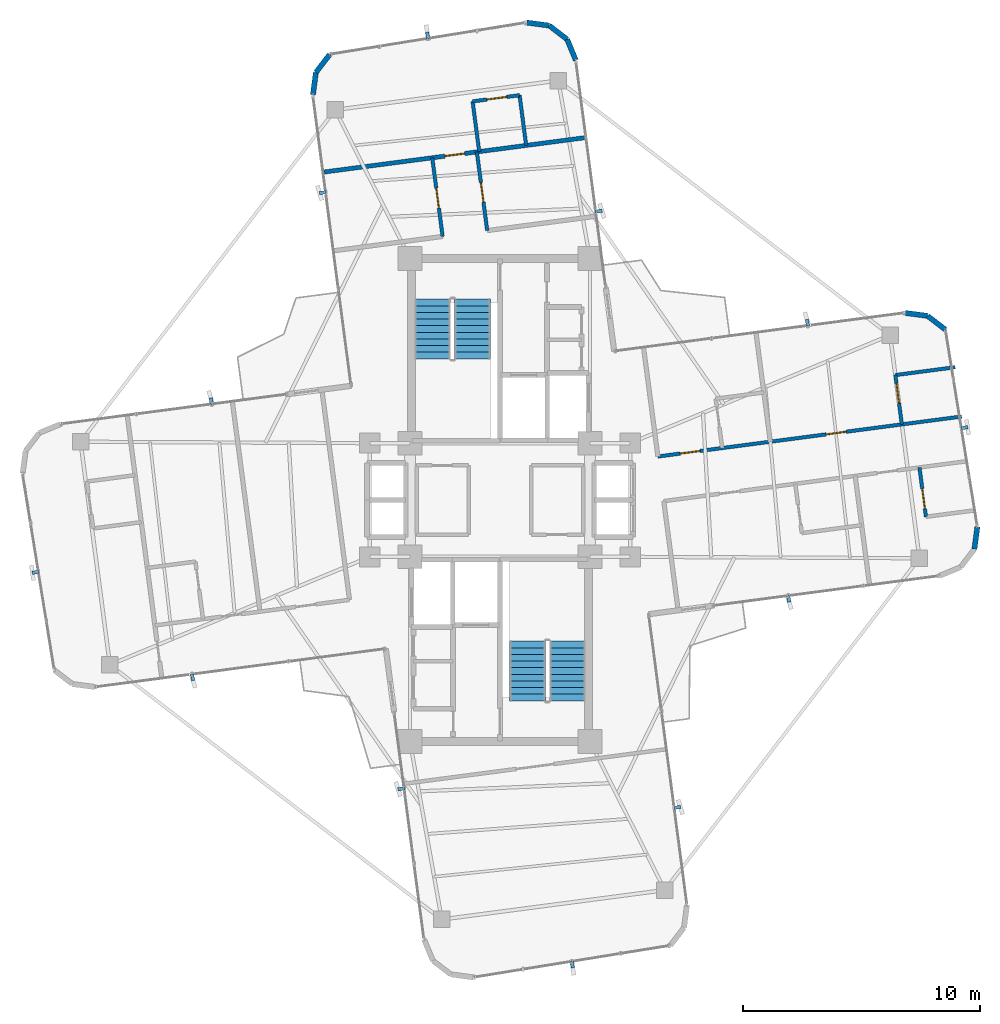
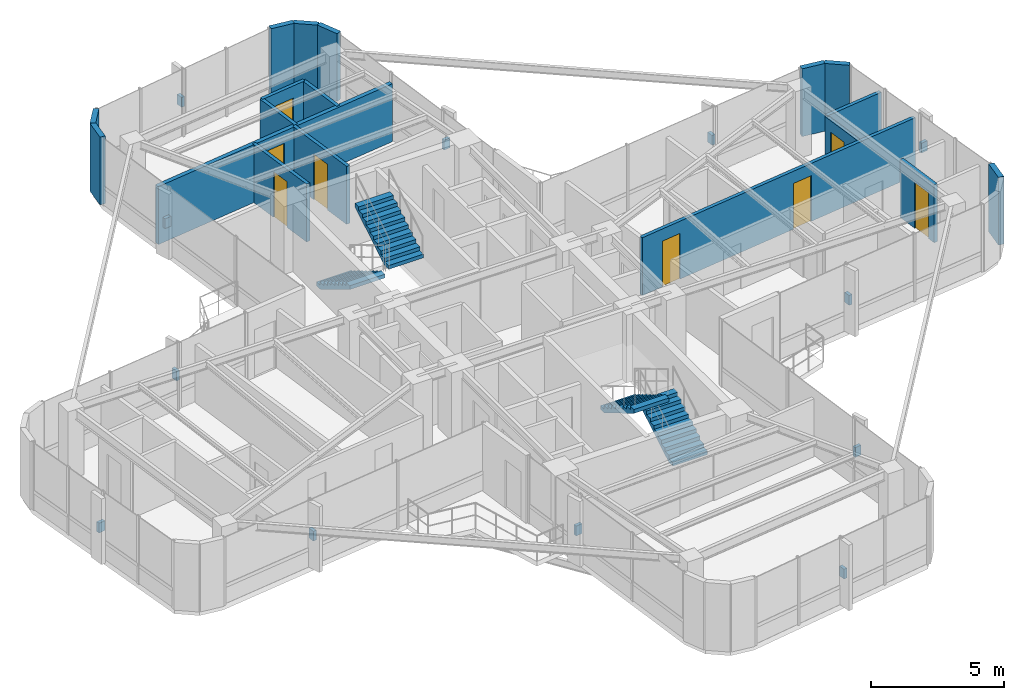
# One storey, part 21 of 22: 18 walls, 12 discrete accessories, 8 doors, 4 stair flights, 8 openings, 2 elements without a shape of their own.
"""IFC4 building model written with IfcOpenShell, lengths in metres."""

from ifc_helpers import new_model, si_unit, direction, frame, frame_2d, origin, origin_2d, place, context, subcontext, project, spatial, polyline, rectangle, outline, extrude, source, transform, mapped, material, layer, layer_set, type_object, element, fill, aggregate, save


model = new_model("IFC4")

# Units and contexts
model_context = context("Model", 3, precision=1e-05, world=origin(), true_north=direction((0.0, 1.0)))
body_context = subcontext(model_context, "Body", "Model", "MODEL_VIEW")
ifc_project = project(units=[si_unit("LENGTHUNIT", "METRE"), si_unit("AREAUNIT", "SQUARE_METRE"), si_unit("VOLUMEUNIT", "CUBIC_METRE"), si_unit("PLANEANGLEUNIT", "RADIAN"), si_unit("MASSUNIT", "GRAM", prefix="KILO")], contexts=[model_context])

# Site, building, storey
site_placement = place(None, origin())
site = spatial("IfcSite", under=ifc_project, at=site_placement, CompositionType="ELEMENT")
building_placement = place(site_placement, origin())
building = spatial("IfcBuilding", under=site, at=building_placement, Name="Sahyath Konkavel Grand Hotel", CompositionType="ELEMENT")
storey_placement = place(building_placement, frame((0.0, 0.0, 272.449951171875)))
storey = spatial("IfcBuildingStorey", under=building, at=storey_placement, Name="L76", CompositionType="ELEMENT", Elevation=272.449951171875)

# Walls
ifc_material_1 = material(Name="Warm Buff Sandstone Insulated Concrete C40/50", Category="masonry")
ifc_layer_1 = layer(ifc_material_1, 0.219970703125)
ifc_layer_set_1 = layer_set([ifc_layer_1], Name="Warm Buff Sandstone Insulated Concrete C40/50")
wall_type_1 = type_object("IfcWallType", Name="WLL-BALC-THRESH", PredefinedType="STANDARD", material=ifc_layer_set_1)
for number, where, z_axis, x_axis, name in (
    (1, (20.03466796875, -2.07763671875, 0.0), (0.0, 0.0, 1.0), (0.13056005306, 0.991440402921, 0.0), "L76 Rounded Corner Sandstone Pier 3"),
    (2, (18.814208984375, 7.1923828125, 0.0), (0.0, 0.0, 1.0), (-0.793249178392, 0.608897151398, 0.0), "L76 Rounded Corner Sandstone Pier 5"),
):
    element("IfcWall", number, at=place(storey_placement, frame(where, z_axis=z_axis, x_axis=x_axis)), inside=storey, type_object=wall_type_1, Name=name, PredefinedType="STANDARD", context=body_context, shape_type="SweptSolid", body=[
        extrude(rectangle(XDim=0.95751953125, YDim=0.219970703125, at=frame_2d((0.478759765625, 0.0))), origin(), (0.0, 0.0, 1.0), 3.110107421875),
    ])
wall_1_placement = place(storey_placement, frame((18.0546875, 7.775390625, 0.0), z_axis=(0.0, 0.0, 1.0), x_axis=(-0.991449089759, 0.130494070426, 0.0)))
element("IfcWall", 3, at=wall_1_placement, inside=storey, type_object=wall_type_1, Name="L76 Rounded Corner Sandstone Pier 6", PredefinedType="STANDARD", context=body_context, shape_type="SweptSolid", body=[
    extrude(rectangle(XDim=0.9580078125, YDim=0.219970703125, at=frame_2d((0.47900390625, 0.0))), origin(), (0.0, 0.0, 1.0), 3.110107421875),
])
wall_2_placement = place(storey_placement, frame((3.203857421875, 18.56689453125, 0.0), z_axis=(0.0, 0.0, 1.0), x_axis=(-0.382569397359, 0.923926759112, 0.0)))
element("IfcWall", 4, at=wall_2_placement, inside=storey, type_object=wall_type_1, Name="L76 Rounded Corner Sandstone Pier 9", PredefinedType="STANDARD", context=body_context, shape_type="SweptSolid", body=[
    extrude(rectangle(XDim=0.957763671875, YDim=0.219970703125, at=frame_2d((0.47900390625, 0.0))), origin(), (0.0, 0.0, 1.0), 3.110107421875),
])
for number, where, z_axis, x_axis, name in (
    (5, (2.83740234375, 19.451904296875, 0.0), (0.0, 0.0, 1.0), (-0.793466811674, 0.60861352168, 0.0), "L76 Rounded Corner Sandstone Pier 10"),
    (6, (2.07763671875, 20.03466796875, 0.0), (0.0, 0.0, 1.0), (-0.991440402921, 0.13056005306, 0.0), "L76 Rounded Corner Sandstone Pier 11"),
    (7, (-7.1923828125, 18.814208984375, 0.0), (0.0, 0.0, 1.0), (-0.608897151398, -0.793249178392, 0.0), "L76 Rounded Corner Sandstone Pier 13"),
):
    element("IfcWall", number, at=place(storey_placement, frame(where, z_axis=z_axis, x_axis=x_axis)), inside=storey, type_object=wall_type_1, Name=name, PredefinedType="STANDARD", context=body_context, shape_type="SweptSolid", body=[
        extrude(rectangle(XDim=0.95751953125, YDim=0.219970703125, at=frame_2d((0.478759765625, 0.0))), origin(), (0.0, 0.0, 1.0), 3.110107421875),
    ])
wall_3_placement = place(storey_placement, frame((-7.775390625, 18.0546875, 0.0), z_axis=(0.0, 0.0, 1.0), x_axis=(-0.130494070426, -0.991449089759, 0.0)))
element("IfcWall", 8, at=wall_3_placement, inside=storey, type_object=wall_type_1, Name="L76 Rounded Corner Sandstone Pier 14", PredefinedType="STANDARD", context=body_context, shape_type="SweptSolid", body=[
    extrude(rectangle(XDim=0.9580078125, YDim=0.219970703125, at=frame_2d((0.47900390625, 0.0))), origin(), (0.0, 0.0, 1.0), 3.110107421875),
])

# Wall, opening, door
ifc_material_2 = material(Name="Twin-Stud Acoustic Gypsum Plasterboard Partition")
ifc_layer_2 = layer(ifc_material_2, 0.179931640625)
ifc_layer_set_2 = layer_set([ifc_layer_2], Name="Twin-Stud Acoustic Gypsum Plasterboard Partition")
wall_type_2 = type_object("IfcWallType", Name="WLL-DEMISE-180", PredefinedType="PARTITIONING", material=ifc_layer_set_2)
wall_4_placement = place(storey_placement, frame((3.583740234375, 15.298583984375, 0.0), z_axis=(0.0, 0.0, 1.0), x_axis=(-0.991446283422, -0.130515390239, 0.0)))
wall_4 = element("IfcWall", 9, at=wall_4_placement, inside=storey, type_object=wall_type_2, Name="L76 Partition N-NTIP-END", PredefinedType="PARTITIONING", context=body_context, shape_type="SweptSolid", body=[
    extrude(rectangle(XDim=11.10009765625, YDim=0.179931640625, at=frame_2d((5.550048828125, 0.0))), origin(), (0.0, 0.0, 1.0), 2.66015625),
])
opening_1_placement = place(wall_4_placement, frame((5.125, 0.0, 0.0)))
opening_1 = element("IfcOpeningElement", 10, at=opening_1_placement, cuts=wall_4, Name="Opening D-F06D", PredefinedType="OPENING", context=body_context, shape_type="SweptSolid", body=[
    extrude(rectangle(XDim=0.85009765625, YDim=2.10009765625, at=frame_2d((0.425048828125, 1.050048828125))), frame((0.0, 0.10009765625, 0.0), z_axis=(0.0, -1.0, 0.0), x_axis=(1.0, 0.0, 0.0)), (0.0, 0.0, 1.0), 0.199951171875),
])
ifc_material_3 = material(Name="Fire-Rated Shaft Access Door")
door_type_1 = type_object("IfcDoorType", Name="DR-FD60-850", OperationType="NOTDEFINED", PredefinedType="DOOR", material=ifc_material_3)
shared_shape_1 = source(origin(), body_context, "Body", "SweptSolid", [
    extrude(rectangle(XDim=0.85009765625, YDim=0.050048828125, at=origin_2d()), origin(), (0.0, 0.0, 1.0), 2.10009765625),
])
door_1_placement = place(opening_1_placement, frame((0.425048828125, 0.0, 0.0)))
door_1 = element("IfcDoor", 11, at=door_1_placement, inside=storey, type_object=door_type_1, Name="L76 Door N-NTIP-ED", OperationType="SINGLE_SWING_LEFT", OverallHeight=2.10009765625, OverallWidth=0.85009765625, PredefinedType="DOOR", context=body_context, shape_type="MappedRepresentation", body=[
    mapped(shared_shape_1, transform((0.0, 0.0, 0.0), scale=1.0)),
])
fill(opening_1, door_1)

# Wall, openings, doors
ifc_material_4 = material(Name="Fire-Rated Gypsum Plasterboard Partition")
ifc_layer_3 = layer(ifc_material_4, 0.14990234375)
ifc_layer_set_3 = layer_set([ifc_layer_3], Name="Fire-Rated Gypsum Plasterboard Partition")
wall_type_3 = type_object("IfcWallType", Name="WLL-PART-150", PredefinedType="PARTITIONING", material=ifc_layer_set_3)
wall_5_placement = place(storey_placement, frame((6.66748046875, 1.8359375, 0.0), z_axis=(0.0, 0.0, 1.0), x_axis=(0.991445045577, 0.130524793052, 0.0)))
wall_5 = element("IfcWall", 12, at=wall_5_placement, inside=storey, type_object=wall_type_3, Name="L76 Partition E-CL", PredefinedType="PARTITIONING", context=body_context, shape_type="SweptSolid", body=[
    extrude(rectangle(XDim=12.939697265625, YDim=0.14990234375, at=frame_2d((6.4697265625, 0.0))), origin(), (0.0, 0.0, 1.0), 2.66015625),
])
opening_2_placement = place(wall_5_placement, frame((0.944091796875, 0.0, 0.0)))
opening_2 = element("IfcOpeningElement", 13, at=opening_2_placement, cuts=wall_5, Name="Opening D-F06D", PredefinedType="OPENING", context=body_context, shape_type="SweptSolid", body=[
    extrude(rectangle(XDim=0.85009765625, YDim=2.10009765625, at=frame_2d((0.425048828125, 1.050048828125))), frame((0.0, 0.0849609375, 0.0), z_axis=(0.0, -1.0, 0.0), x_axis=(1.0, 0.0, 0.0)), (0.0, 0.0, 1.0), 0.169921875),
])
opening_3_placement = place(wall_5_placement, frame((7.1640625, 0.0, 0.0)))
opening_3 = element("IfcOpeningElement", 14, at=opening_3_placement, cuts=wall_5, Name="Opening D-F06D", PredefinedType="OPENING", context=body_context, shape_type="SweptSolid", body=[
    extrude(rectangle(XDim=0.85009765625, YDim=2.10009765625, at=frame_2d((0.425048828125, 1.050048828125))), frame((0.0, 0.0849609375, 0.0), z_axis=(0.0, -1.0, 0.0), x_axis=(1.0, 0.0, 0.0)), (0.0, 0.0, 1.0), 0.169921875),
])
door_2_placement = place(opening_2_placement, frame((0.425048828125, 0.0, 0.0)))
door_2 = element("IfcDoor", 15, at=door_2_placement, inside=storey, type_object=door_type_1, Name="L76 Door E-E1L-ED", OperationType="SINGLE_SWING_LEFT", OverallHeight=2.10009765625, OverallWidth=0.85009765625, PredefinedType="DOOR", context=body_context, shape_type="MappedRepresentation", body=[
    mapped(shared_shape_1, transform((0.0, 0.0, 0.0), scale=1.0)),
])
fill(opening_2, door_2)
door_3_placement = place(opening_3_placement, frame((0.425048828125, 0.0, 0.0)))
door_3 = element("IfcDoor", 16, at=door_3_placement, inside=storey, type_object=door_type_1, Name="L76 Door E-E2L-ED", OperationType="SINGLE_SWING_LEFT", OverallHeight=2.10009765625, OverallWidth=0.85009765625, PredefinedType="DOOR", context=body_context, shape_type="MappedRepresentation", body=[
    mapped(shared_shape_1, transform((0.0, 0.0, 0.0), scale=1.0)),
])
fill(opening_3, door_3)

# Wall, opening, door
wall_6_placement = place(storey_placement, frame((16.968505859375, 3.192138671875, 0.0), z_axis=(0.0, 0.0, 1.0), x_axis=(-0.130556761174, 0.991440836415, 0.0)))
wall_6 = element("IfcWall", 17, at=wall_6_placement, inside=storey, type_object=wall_type_3, Name="L76 Partition E-E2L-BS", PredefinedType="PARTITIONING", context=body_context, shape_type="SweptSolid", body=[
    extrude(rectangle(XDim=2.10009765625, YDim=0.14990234375, at=frame_2d((1.050048828125, 0.0))), origin(), (0.0, 0.0, 1.0), 2.630126953125),
])
opening_4_placement = place(wall_6_placement, frame((0.89990234375, 0.0, 0.0)))
opening_4 = element("IfcOpeningElement", 18, at=opening_4_placement, cuts=wall_6, Name="Opening D-BT85", PredefinedType="OPENING", context=body_context, shape_type="SweptSolid", body=[
    extrude(rectangle(XDim=0.85009765625, YDim=2.10009765625, at=frame_2d((0.425048828125, 1.050048828125))), frame((0.0, 0.0849609375, 0.0), z_axis=(0.0, -1.0, 0.0), x_axis=(1.0, 0.0, 0.0)), (0.0, 0.0, 1.0), 0.169921875),
])
ifc_material_5 = material(Name="Moisture-Resistant Teak Bathroom Door")
door_type_2 = type_object("IfcDoorType", Name="DR-BATH-850", OperationType="NOTDEFINED", PredefinedType="DOOR", material=ifc_material_5)
door_4_placement = place(opening_4_placement, frame((0.425048828125, 0.0, 0.0)))
door_4 = element("IfcDoor", 19, at=door_4_placement, inside=storey, type_object=door_type_2, Name="L76 Door E-E2L-BD", OperationType="SINGLE_SWING_RIGHT", OverallHeight=2.10009765625, OverallWidth=0.85009765625, PredefinedType="DOOR", context=body_context, shape_type="MappedRepresentation", body=[
    mapped(shared_shape_1, transform((0.0, 0.0, 0.0), scale=1.0)),
])
fill(opening_4, door_4)

# Wall
wall_7_placement = place(storey_placement, frame((16.6943359375, 5.274169921875, 0.0), z_axis=(0.0, 0.0, 1.0), x_axis=(0.99144973294, 0.130489183661, 0.0)))
element("IfcWall", 20, at=wall_7_placement, inside=storey, type_object=wall_type_3, Name="L76 Partition E-E2L-BF", PredefinedType="PARTITIONING", context=body_context, shape_type="SweptSolid", body=[
    extrude(rectangle(XDim=2.550048828125, YDim=0.14990234375, at=frame_2d((1.27490234375, 0.0))), origin(), (0.0, 0.0, 1.0), 2.66015625),
])

# Wall, opening, door
wall_8_placement = place(storey_placement, frame((17.712158203125, 1.373779296875, 0.0), z_axis=(0.0, 0.0, 1.0), x_axis=(0.130541714651, -0.991442817683, 0.0)))
wall_8 = element("IfcWall", 21, at=wall_8_placement, inside=storey, type_object=wall_type_3, Name="L76 Partition E-E2R-BS", PredefinedType="PARTITIONING", context=body_context, shape_type="SweptSolid", body=[
    extrude(rectangle(XDim=2.100341796875, YDim=0.14990234375, at=frame_2d((1.05029296875, 0.0))), origin(), (0.0, 0.0, 1.0), 2.66015625),
])
opening_5_placement = place(wall_8_placement, frame((0.89990234375, 0.0, 0.0)))
opening_5 = element("IfcOpeningElement", 22, at=opening_5_placement, cuts=wall_8, Name="Opening D-BT85", PredefinedType="OPENING", context=body_context, shape_type="SweptSolid", body=[
    extrude(rectangle(XDim=0.85009765625, YDim=2.10009765625, at=frame_2d((0.425048828125, 1.050048828125))), frame((0.0, 0.0849609375, 0.0), z_axis=(0.0, -1.0, 0.0), x_axis=(1.0, 0.0, 0.0)), (0.0, 0.0, 1.0), 0.169921875),
])
door_5_placement = place(opening_5_placement, frame((0.425048828125, 0.0, 0.0)))
door_5 = element("IfcDoor", 23, at=door_5_placement, inside=storey, type_object=door_type_2, Name="L76 Door E-E2R-BD", OperationType="SINGLE_SWING_RIGHT", OverallHeight=2.10009765625, OverallWidth=0.85009765625, PredefinedType="DOOR", context=body_context, shape_type="MappedRepresentation", body=[
    mapped(shared_shape_1, transform((0.0, 0.0, 0.0), scale=1.0)),
])
fill(opening_5, door_5)

wall_9_placement = place(storey_placement, frame((-2.42333984375, 11.12890625, 0.0), z_axis=(0.0, 0.0, 1.0), x_axis=(-0.130526150873, 0.991444866817, 0.0)))
wall_9 = element("IfcWall", 24, at=wall_9_placement, inside=storey, type_object=wall_type_3, Name="L76 Partition N-CL", PredefinedType="PARTITIONING", context=body_context, shape_type="SweptSolid", body=[
    extrude(rectangle(XDim=3.349853515625, YDim=0.14990234375, at=frame_2d((1.6748046875, 0.0))), origin(), (0.0, 0.0, 1.0), 2.66015625),
])
opening_6_placement = place(wall_9_placement, frame((1.199951171875, 0.0, 0.0)))
opening_6 = element("IfcOpeningElement", 25, at=opening_6_placement, cuts=wall_9, Name="Opening D-F06D", PredefinedType="OPENING", context=body_context, shape_type="SweptSolid", body=[
    extrude(rectangle(XDim=0.85009765625, YDim=2.10009765625, at=frame_2d((0.425048828125, 1.050048828125))), frame((0.0, 0.0849609375, 0.0), z_axis=(0.0, -1.0, 0.0), x_axis=(1.0, 0.0, 0.0)), (0.0, 0.0, 1.0), 0.169921875),
])
door_6_placement = place(opening_6_placement, frame((0.425048828125, 0.0, 0.0)))
door_6 = element("IfcDoor", 26, at=door_6_placement, inside=storey, type_object=door_type_1, Name="L76 Door N-NS3L-D", OperationType="SINGLE_SWING_RIGHT", OverallHeight=2.10009765625, OverallWidth=0.85009765625, PredefinedType="DOOR", context=body_context, shape_type="MappedRepresentation", body=[
    mapped(shared_shape_1, transform((0.0, 0.0, 0.0), scale=1.0)),
])
fill(opening_6, door_6)

wall_10_placement = place(storey_placement, frame((-0.53955078125, 11.376953125, 0.0), z_axis=(0.0, 0.0, 1.0), x_axis=(-0.130526150873, 0.991444866817, 0.0)))
wall_10 = element("IfcWall", 27, at=wall_10_placement, inside=storey, type_object=wall_type_3, Name="L76 Partition N-CR", PredefinedType="PARTITIONING", context=body_context, shape_type="SweptSolid", body=[
    extrude(rectangle(XDim=3.349853515625, YDim=0.14990234375, at=frame_2d((1.6748046875, 0.0))), origin(), (0.0, 0.0, 1.0), 2.66015625),
])
opening_7_placement = place(wall_10_placement, frame((1.199951171875, 0.0, 0.0)))
opening_7 = element("IfcOpeningElement", 28, at=opening_7_placement, cuts=wall_10, Name="Opening D-F06D", PredefinedType="OPENING", context=body_context, shape_type="SweptSolid", body=[
    extrude(rectangle(XDim=0.85009765625, YDim=2.10009765625, at=frame_2d((0.425048828125, 1.050048828125))), frame((0.0, 0.0849609375, 0.0), z_axis=(0.0, -1.0, 0.0), x_axis=(1.0, 0.0, 0.0)), (0.0, 0.0, 1.0), 0.169921875),
])
door_7_placement = place(opening_7_placement, frame((0.425048828125, 0.0, 0.0)))
door_7 = element("IfcDoor", 29, at=door_7_placement, inside=storey, type_object=door_type_1, Name="L76 Door N-NS3R-D", OperationType="SINGLE_SWING_LEFT", OverallHeight=2.10009765625, OverallWidth=0.85009765625, PredefinedType="DOOR", context=body_context, shape_type="MappedRepresentation", body=[
    mapped(shared_shape_1, transform((0.0, 0.0, 0.0), scale=1.0)),
])
fill(opening_7, door_7)

# Walls
wall_11_placement = place(storey_placement, frame((-0.877685546875, 14.711181640625, 0.0), z_axis=(0.0, 0.0, 1.0), x_axis=(-0.130510632027, 0.991446909788, 0.0)))
element("IfcWall", 30, at=wall_11_placement, inside=storey, type_object=wall_type_3, Name="L76 Partition N-NTIP-BN", PredefinedType="PARTITIONING", context=body_context, shape_type="SweptSolid", body=[
    extrude(rectangle(XDim=2.13818359375, YDim=0.14990234375, at=frame_2d((1.069091796875, 0.0))), origin(), (0.0, 0.0, 1.0), 2.66015625),
])
wall_12_placement = place(storey_placement, frame((1.105224609375, 14.972412109375, 0.0), z_axis=(0.0, 0.0, 1.0), x_axis=(-0.130525408261, 0.991444964584, 0.0)))
element("IfcWall", 31, at=wall_12_placement, inside=storey, type_object=wall_type_3, Name="L76 Partition N-NTIP-BS", PredefinedType="PARTITIONING", context=body_context, shape_type="SweptSolid", body=[
    extrude(rectangle(XDim=2.137939453125, YDim=0.14990234375, at=frame_2d((1.06884765625, 0.0))), origin(), (0.0, 0.0, 1.0), 2.66015625),
])

# Wall, opening, door
wall_13_placement = place(storey_placement, frame((0.826171875, 17.092041015625, 0.0), z_axis=(0.0, 0.0, 1.0), x_axis=(-0.991449308994, -0.130492404742, 0.0)))
wall_13 = element("IfcWall", 32, at=wall_13_placement, inside=storey, type_object=wall_type_3, Name="L76 Partition N-NTIP-BE", PredefinedType="PARTITIONING", context=body_context, shape_type="SweptSolid", body=[
    extrude(rectangle(XDim=2.0, YDim=0.14990234375, at=frame_2d((1.0, 0.0))), origin(), (0.0, 0.0, 1.0), 2.66015625),
])
opening_8_placement = place(wall_13_placement, frame((0.550048828125, 0.0, 0.0)))
opening_8 = element("IfcOpeningElement", 33, at=opening_8_placement, cuts=wall_13, Name="Opening D-BT85", PredefinedType="OPENING", context=body_context, shape_type="SweptSolid", body=[
    extrude(rectangle(XDim=0.85009765625, YDim=2.10009765625, at=frame_2d((0.425048828125, 1.050048828125))), frame((0.0, 0.0849609375, 0.0), z_axis=(0.0, -1.0, 0.0), x_axis=(1.0, 0.0, 0.0)), (0.0, 0.0, 1.0), 0.169921875),
])
door_8_placement = place(opening_8_placement, frame((0.425048828125, 0.0, 0.0)))
door_8 = element("IfcDoor", 34, at=door_8_placement, inside=storey, type_object=door_type_2, Name="L76 Door N-NTIP-BD", OperationType="SINGLE_SWING_RIGHT", OverallHeight=2.10009765625, OverallWidth=0.85009765625, PredefinedType="DOOR", context=body_context, shape_type="MappedRepresentation", body=[
    mapped(shared_shape_1, transform((0.0, 0.0, 0.0), scale=1.0)),
])
fill(opening_8, door_8)

# Stair, stair flights
ifc_material_6 = material(Name="Concrete C40/50", Category="concrete")
stair_type = type_object("IfcStairType", Name="STR-ST16-335", PredefinedType="HALF_TURN_STAIR", material=ifc_material_6)
stair_1_placement = place(storey_placement, origin())
stair_1 = element("IfcStair", 35, at=stair_1_placement, inside=storey, type_object=stair_type, Name="L76 North Core Smokeproof Exit Stair ST-1", PredefinedType="HALF_TURN_STAIR")
stair_flight_type = type_object("IfcStairFlightType", Name="STF-ST16-335", PredefinedType="STRAIGHT", material=ifc_material_6)
stair_flight_1_placement = place(storey_placement, frame((-2.840087890625, 8.47998046875, 0.0), z_axis=(0.0, 0.0, 1.0), x_axis=(0.0, -1.0, 0.0)))
stair_flight_1 = element("IfcStairFlight", 36, at=stair_flight_1_placement, type_object=stair_flight_type, Name="ST-1 flight 1", NumberOfRisers=10, NumberOfTreads=9, PredefinedType="STRAIGHT", RiserHeight=0.1675, TreadLength=0.28, context=body_context, shape_type="SweptSolid", body=[
    extrude(outline(polyline([(0.0, 0.0), (0.0, 0.16748046875), (0.280029296875, 0.16748046875), (0.280029296875, 0.3349609375), (0.56005859375, 0.3349609375), (0.56005859375, 0.50244140625), (0.840087890625, 0.50244140625), (0.840087890625, 0.669921875), (1.1201171875, 0.669921875), (1.1201171875, 0.83740234375), (1.39990234375, 0.83740234375), (1.39990234375, 1.0048828125), (1.679931640625, 1.0048828125), (1.679931640625, 1.172607421875), (1.9599609375, 1.172607421875), (1.9599609375, 1.340087890625), (2.239990234375, 1.340087890625), (2.239990234375, 1.507568359375), (2.52001953125, 1.507568359375), (2.52001953125, 1.675048828125), (2.52001953125, 1.332763671875), (0.2919921875, 0.0), (0.0, 0.0)])), frame((0.0, 0.760009765625, 0.0), z_axis=(0.0, -1.0, 0.0), x_axis=(1.0, 0.0, 0.0)), (0.0, 0.0, 1.0), 1.52001953125),
])
stair_flight_2_placement = place(storey_placement, frame((-1.159912109375, 5.9599609375, 1.675048828125), z_axis=(0.0, 0.0, 1.0), x_axis=(0.0, 1.0, 0.0)))
stair_flight_2 = element("IfcStairFlight", 37, at=stair_flight_2_placement, type_object=stair_flight_type, Name="ST-1 flight 2", NumberOfRisers=10, NumberOfTreads=9, PredefinedType="STRAIGHT", RiserHeight=0.1675, TreadLength=0.28, context=body_context, shape_type="SweptSolid", body=[
    extrude(outline(polyline([(0.0, 0.0), (0.0, 0.16748046875), (0.280029296875, 0.16748046875), (0.280029296875, 0.3349609375), (0.56005859375, 0.3349609375), (0.56005859375, 0.50244140625), (0.840087890625, 0.50244140625), (0.840087890625, 0.669921875), (1.1201171875, 0.669921875), (1.1201171875, 0.83740234375), (1.39990234375, 0.83740234375), (1.39990234375, 1.0048828125), (1.679931640625, 1.0048828125), (1.679931640625, 1.172607421875), (1.9599609375, 1.172607421875), (1.9599609375, 1.340087890625), (2.239990234375, 1.340087890625), (2.239990234375, 1.507568359375), (2.52001953125, 1.507568359375), (2.52001953125, 1.675048828125), (2.52001953125, 1.332763671875), (0.2919921875, 0.0), (0.0, 0.0)])), frame((0.0, 0.760009765625, 0.0), z_axis=(0.0, -1.0, 0.0), x_axis=(1.0, 0.0, 0.0)), (0.0, 0.0, 1.0), 1.52001953125),
])
aggregate(stair_1, [stair_flight_1, stair_flight_2])

stair_2_placement = place(storey_placement, origin())
stair_2 = element("IfcStair", 38, at=stair_2_placement, inside=storey, type_object=stair_type, Name="L76 South Core Smokeproof Exit Stair ST-2", PredefinedType="HALF_TURN_STAIR")
stair_flight_3_placement = place(storey_placement, frame((2.840087890625, -8.47998046875, 0.0), z_axis=(0.0, 0.0, 1.0), x_axis=(0.0, 1.0, 0.0)))
stair_flight_3 = element("IfcStairFlight", 39, at=stair_flight_3_placement, type_object=stair_flight_type, Name="ST-2 flight 1", NumberOfRisers=10, NumberOfTreads=9, PredefinedType="STRAIGHT", RiserHeight=0.1675, TreadLength=0.28, context=body_context, shape_type="SweptSolid", body=[
    extrude(outline(polyline([(0.0, 0.0), (0.0, 0.16748046875), (0.280029296875, 0.16748046875), (0.280029296875, 0.3349609375), (0.56005859375, 0.3349609375), (0.56005859375, 0.50244140625), (0.840087890625, 0.50244140625), (0.840087890625, 0.669921875), (1.1201171875, 0.669921875), (1.1201171875, 0.83740234375), (1.39990234375, 0.83740234375), (1.39990234375, 1.0048828125), (1.679931640625, 1.0048828125), (1.679931640625, 1.172607421875), (1.9599609375, 1.172607421875), (1.9599609375, 1.340087890625), (2.239990234375, 1.340087890625), (2.239990234375, 1.507568359375), (2.52001953125, 1.507568359375), (2.52001953125, 1.675048828125), (2.52001953125, 1.332763671875), (0.2919921875, 0.0), (0.0, 0.0)])), frame((0.0, 0.760009765625, 0.0), z_axis=(0.0, -1.0, 0.0), x_axis=(1.0, 0.0, 0.0)), (0.0, 0.0, 1.0), 1.52001953125),
])
stair_flight_4_placement = place(storey_placement, frame((1.159912109375, -5.9599609375, 1.675048828125), z_axis=(0.0, 0.0, 1.0), x_axis=(0.0, -1.0, 0.0)))
stair_flight_4 = element("IfcStairFlight", 40, at=stair_flight_4_placement, type_object=stair_flight_type, Name="ST-2 flight 2", NumberOfRisers=10, NumberOfTreads=9, PredefinedType="STRAIGHT", RiserHeight=0.1675, TreadLength=0.28, context=body_context, shape_type="SweptSolid", body=[
    extrude(outline(polyline([(0.0, 0.0), (0.0, 0.16748046875), (0.280029296875, 0.16748046875), (0.280029296875, 0.3349609375), (0.56005859375, 0.3349609375), (0.56005859375, 0.50244140625), (0.840087890625, 0.50244140625), (0.840087890625, 0.669921875), (1.1201171875, 0.669921875), (1.1201171875, 0.83740234375), (1.39990234375, 0.83740234375), (1.39990234375, 1.0048828125), (1.679931640625, 1.0048828125), (1.679931640625, 1.172607421875), (1.9599609375, 1.172607421875), (1.9599609375, 1.340087890625), (2.239990234375, 1.340087890625), (2.239990234375, 1.507568359375), (2.52001953125, 1.507568359375), (2.52001953125, 1.675048828125), (2.52001953125, 1.332763671875), (0.2919921875, 0.0), (0.0, 0.0)])), frame((0.0, 0.760009765625, 0.0), z_axis=(0.0, -1.0, 0.0), x_axis=(1.0, 0.0, 0.0)), (0.0, 0.0, 1.0), 1.52001953125),
])
aggregate(stair_2, [stair_flight_3, stair_flight_4])

# Discrete accessories
ifc_material_7 = material(Name="Steel E350", Category="steel")
discrete_accessory_type = type_object("IfcDiscreteAccessoryType", Name="ACC-FIN-BRACKET", PredefinedType="BRACKET", material=ifc_material_7)
shared_shape_2 = source(origin(), body_context, "Body", "SweptSolid", [
    extrude(rectangle(XDim=0.280029296875, YDim=0.139892578125, at=origin_2d()), origin(), (0.0, 0.0, 1.0), 0.449951171875),
])
for number, where, z_axis, x_axis, name in (
    (41, (12.1923828125, -4.17431640625, 1.330078125), (0.0, 0.0, 1.0), (0.13052619222, -0.991444861374, 0.0), "L76 Fin Support Bracket F0-1"),
    (42, (19.615234375, 3.052734375, 1.330078125), (0.0, 0.0, 1.0), (0.987178088041, 0.159622750546, 0.0), "L76 Fin Support Bracket F4-2"),
    (43, (12.980224609375, 7.48828125, 1.330078125), (0.0, 0.0, 1.0), (-0.13052619222, 0.991444861374, 0.0), "L76 Fin Support Bracket F7-1"),
    (44, (4.17431640625, 12.1923828125, 1.330078125), (0.0, 0.0, 1.0), (0.991444861374, 0.13052619222, 0.0), "L76 Fin Support Bracket F8-1"),
    (45, (-3.052734375, 19.615234375, 1.330078125), (0.0, 0.0, 1.0), (-0.159622750546, 0.987178088041, 0.0), "L76 Fin Support Bracket F12-2"),
    (46, (-7.48828125, 12.980224609375, 1.330078125), (0.0, 0.0, 1.0), (-0.991444861374, -0.13052619222, 0.0), "L76 Fin Support Bracket F15-1"),
    (47, (-12.1923828125, 4.17431640625, 1.330078125), (0.0, 0.0, 1.0), (-0.13052619222, 0.991444861374, 0.0), "L76 Fin Support Bracket F16-1"),
    (48, (-19.615234375, -3.052734375, 1.330078125), (0.0, 0.0, 1.0), (-0.987178088041, -0.159622750546, 0.0), "L76 Fin Support Bracket F20-2"),
    (49, (-12.980224609375, -7.48828125, 1.330078125), (0.0, 0.0, 1.0), (0.13052619222, -0.991444861374, 0.0), "L76 Fin Support Bracket F23-1"),
    (50, (-4.17431640625, -12.1923828125, 1.330078125), (0.0, 0.0, 1.0), (-0.991444861374, -0.13052619222, 0.0), "L76 Fin Support Bracket F24-1"),
    (51, (3.052734375, -19.615234375, 1.330078125), (0.0, 0.0, 1.0), (0.159622750546, -0.987178088041, 0.0), "L76 Fin Support Bracket F28-2"),
    (52, (7.48828125, -12.980224609375, 1.330078125), (0.0, 0.0, 1.0), (0.991444861374, 0.13052619222, 0.0), "L76 Fin Support Bracket F31-1"),
):
    element("IfcDiscreteAccessory", number, at=place(storey_placement, frame(where, z_axis=z_axis, x_axis=x_axis)), inside=storey, type_object=discrete_accessory_type, Name=name, PredefinedType="BRACKET", context=body_context, shape_type="MappedRepresentation", body=[
        mapped(shared_shape_2, transform((0.0, 0.0, 0.0), scale=1.0)),
    ])

save(model, "model.ifc")
